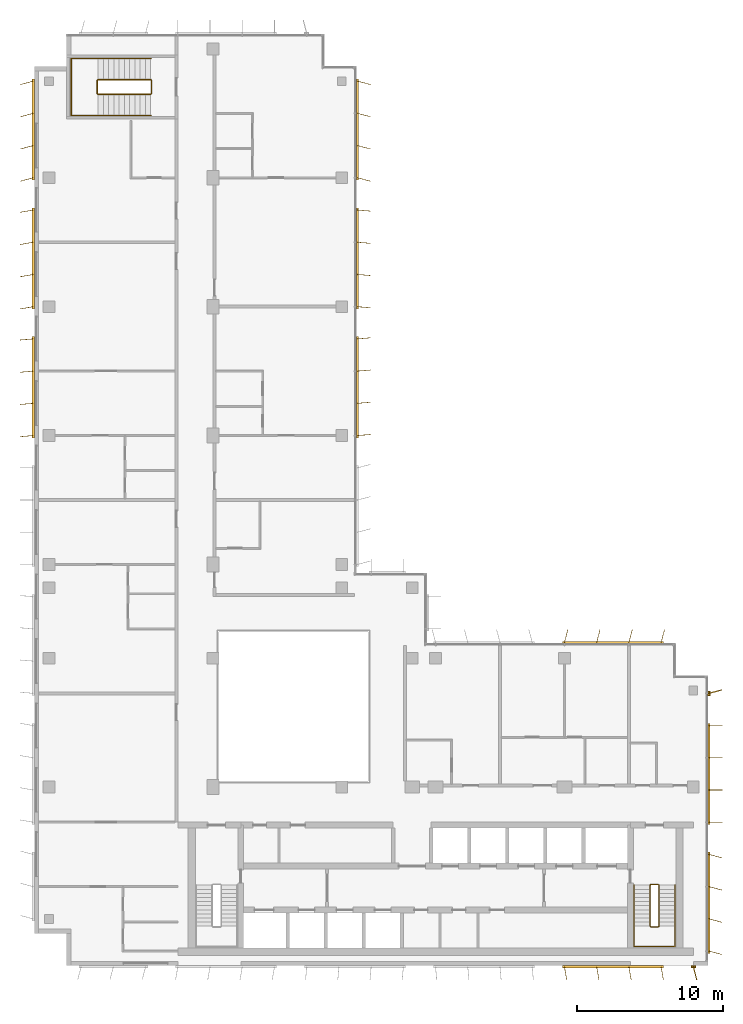
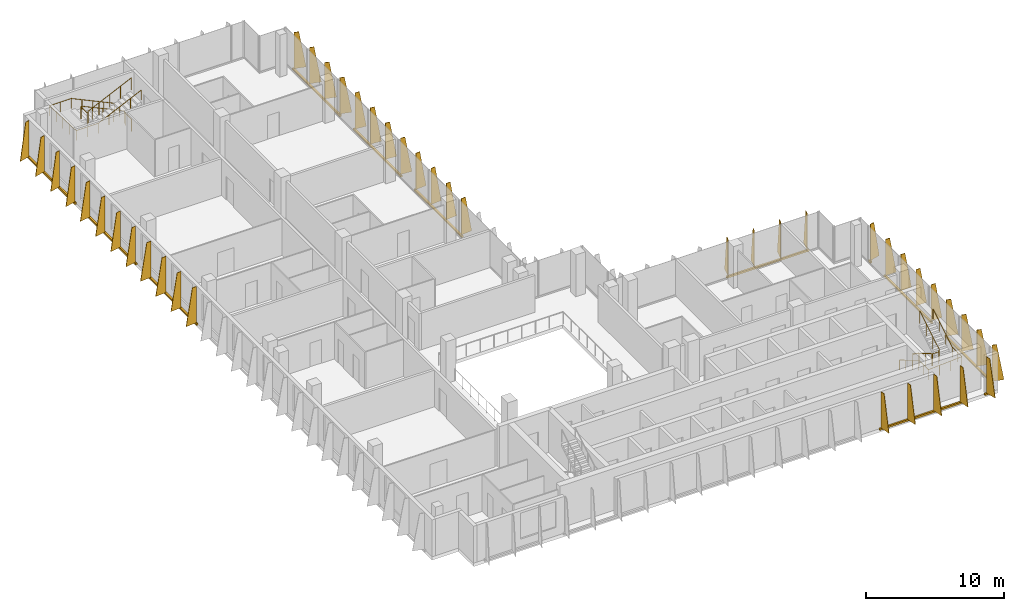
# One storey, part 14 of 15: 12 shading devices, 4 railings.
"""IFC4 building model written with IfcOpenShell, lengths in metres."""

from ifc_helpers import new_model, si_unit, direction, frame, origin, origin_2d, place, context, subcontext, project, spatial, polyline, rectangle, circle, outline, extrude, source, transform, mapped, material, layer, layer_set, type_object, element, save


model = new_model("IFC4")

# Units and contexts
model_context = context("Model", 3, precision=1e-05, world=origin(), true_north=direction((0.0, 1.0)))
body_context = subcontext(model_context, "Body", "Model", "MODEL_VIEW")
ifc_project = project(units=[si_unit("LENGTHUNIT", "METRE"), si_unit("AREAUNIT", "SQUARE_METRE"), si_unit("VOLUMEUNIT", "CUBIC_METRE"), si_unit("PLANEANGLEUNIT", "RADIAN"), si_unit("MASSUNIT", "GRAM", prefix="KILO")], contexts=[model_context])

# Site, building, storey
site_placement = place(None, origin())
site = spatial("IfcSite", under=ifc_project, at=site_placement, CompositionType="ELEMENT")
building_placement = place(site_placement, origin())
building = spatial("IfcBuilding", under=site, at=building_placement, Name="Kemantara Hotel Tower", CompositionType="ELEMENT")
storey_placement = place(building_placement, frame((0.0, 0.0, 305.5)))
storey = spatial("IfcBuildingStorey", under=building, at=storey_placement, Name="L77", CompositionType="ELEMENT", Elevation=305.5)

# Railings
ifc_material_1 = material(Name="Stainless steel balustrade", Category="steel")
railing_type_1 = type_object("IfcRailingType", Name="Stair guard 1100 mm", PredefinedType="GUARDRAIL", material=ifc_material_1)
railing_1_placement = place(storey_placement, frame((42.64990234375, 5.5, 3.699951171875)))
element("IfcRailing", 1, at=railing_1_placement, inside=storey, type_object=railing_type_1, Name="L77 ST2 stair guard 1", PredefinedType="GUARDRAIL", context=body_context, shape_type="SweptSolid", body=[
    extrude(circle(Radius=0.02392578125, at=origin_2d()), frame((0.0, 0.0, 1.076171875), z_axis=(0.0, -0.857242210791, -0.514913383045), x_axis=(1.0, 0.0, 0.0)), (0.0, 0.0, 1.0), 3.266357421875),
    extrude(circle(Radius=0.02392578125, at=origin_2d()), frame((0.0, -2.800048828125, -0.60595703125), z_axis=(-0.273343290215, -0.274683208305, -0.921863645432), x_axis=(0.708833529934, -0.705375805398, 0.0)), (0.0, 0.0, 1.0), 0.18212890625),
    extrude(circle(Radius=0.02392578125, at=origin_2d()), frame((-0.0498046875, -2.85009765625, -0.77392578125), z_axis=(-1.0, 0.0, 0.0), x_axis=(0.0, -1.0, 0.0)), (0.0, 0.0, 1.0), 0.5),
    extrude(circle(Radius=0.02392578125, at=origin_2d()), frame((-0.5498046875, -2.85009765625, -0.77392578125), z_axis=(-0.707106781187, 0.707106781187, 0.0), x_axis=(-0.707106781187, -0.707106781187, 0.0)), (0.0, 0.0, 1.0), 0.07080078125),
    extrude(circle(Radius=0.02392578125, at=origin_2d()), frame((-0.599853515625, -2.800048828125, -0.77392578125), z_axis=(0.0, 0.857242210791, -0.514913383045), x_axis=(-1.0, 0.0, 0.0)), (0.0, 0.0, 1.0), 3.266357421875),
    extrude(circle(Radius=0.02392578125, at=origin_2d()), frame((-0.599853515625, 0.0, -2.45556640625), z_axis=(0.274243871929, 0.274243871929, -0.92172696468), x_axis=(-0.707106781187, 0.707106781187, 0.0)), (0.0, 0.0, 1.0), 0.1826171875),
    extrude(circle(Radius=0.02392578125, at=origin_2d()), frame((-0.5498046875, 0.050048828125, -2.6240234375), z_axis=(1.0, 0.0, 0.0), x_axis=(0.0, 1.0, 0.0)), (0.0, 0.0, 1.0), 0.5),
    extrude(circle(Radius=0.02099609375, at=origin_2d()), origin(), (0.0, 0.0, 1.0), 1.052001953125),
    extrude(circle(Radius=0.02099609375, at=origin_2d()), frame((0.0, -0.933349609375, -0.560546875)), (0.0, 0.0, 1.0), 1.052001953125),
    extrude(circle(Radius=0.02099609375, at=origin_2d()), frame((0.0, -1.86669921875, -1.121337890625)), (0.0, 0.0, 1.0), 1.052001953125),
    extrude(circle(Radius=0.02099609375, at=origin_2d()), frame((0.0, -2.800048828125, -1.681884765625)), (0.0, 0.0, 1.0), 1.052001953125),
    extrude(circle(Radius=0.02099609375, at=origin_2d()), frame((-0.0498046875, -2.85009765625, -1.849853515625)), (0.0, 0.0, 1.0), 1.052001953125),
    extrude(circle(Radius=0.02099609375, at=origin_2d()), frame((-0.5498046875, -2.85009765625, -1.849853515625)), (0.0, 0.0, 1.0), 1.052001953125),
    extrude(circle(Radius=0.02099609375, at=origin_2d()), frame((-0.599853515625, -2.800048828125, -1.849853515625)), (0.0, 0.0, 1.0), 1.052001953125),
    extrude(circle(Radius=0.02099609375, at=origin_2d()), frame((-0.599853515625, -1.86669921875, -2.410400390625)), (0.0, 0.0, 1.0), 1.052001953125),
    extrude(circle(Radius=0.02099609375, at=origin_2d()), frame((-0.599853515625, -0.933349609375, -2.97119140625)), (0.0, 0.0, 1.0), 1.052001953125),
    extrude(circle(Radius=0.02099609375, at=origin_2d()), frame((-0.599853515625, 0.0, -3.53173828125)), (0.0, 0.0, 1.0), 1.052001953125),
    extrude(circle(Radius=0.02099609375, at=origin_2d()), frame((-0.5498046875, 0.050048828125, -3.699951171875)), (0.0, 0.0, 1.0), 1.052001953125),
    extrude(circle(Radius=0.02099609375, at=origin_2d()), frame((-0.0498046875, 0.050048828125, -3.699951171875)), (0.0, 0.0, 1.0), 1.052001953125),
])
railing_2_placement = place(storey_placement, frame((7.949951171875, 59.5, 3.699951171875)))
element("IfcRailing", 2, at=railing_2_placement, inside=storey, type_object=railing_type_1, Name="L77 ST4 stair guard 1", PredefinedType="GUARDRAIL", context=body_context, shape_type="SweptSolid", body=[
    extrude(circle(Radius=0.02392578125, at=origin_2d()), frame((0.0, 0.0, 1.076171875), z_axis=(-0.905994681025, 0.0, -0.423289071386), x_axis=(0.0, -1.0, 0.0)), (0.0, 0.0, 1.0), 3.973388671875),
    extrude(circle(Radius=0.02392578125, at=origin_2d()), frame((-3.599853515625, 0.0, -0.60595703125), z_axis=(-0.274582412415, 0.274582412415, -0.921525364591), x_axis=(-0.707106781187, -0.707106781187, 0.0)), (0.0, 0.0, 1.0), 0.182373046875),
    extrude(circle(Radius=0.02392578125, at=origin_2d()), frame((-3.64990234375, 0.050048828125, -0.77392578125), z_axis=(0.0, 1.0, 0.0), x_axis=(-1.0, 0.0, 0.0)), (0.0, 0.0, 1.0), 0.89990234375),
    extrude(circle(Radius=0.02392578125, at=origin_2d()), frame((-3.64990234375, 0.949951171875, -0.77392578125), z_axis=(0.707106781187, 0.707106781187, 0.0), x_axis=(-0.707106781187, 0.707106781187, 0.0)), (0.0, 0.0, 1.0), 0.07080078125),
    extrude(circle(Radius=0.02392578125, at=origin_2d()), frame((-3.599853515625, 1.0, -0.77392578125), z_axis=(0.905994681025, 0.0, -0.423289071386), x_axis=(0.0, 1.0, 0.0)), (0.0, 0.0, 1.0), 3.973388671875),
    extrude(circle(Radius=0.02392578125, at=origin_2d()), frame((0.0, 1.0, -2.45556640625), z_axis=(0.274243871929, -0.274243871929, -0.92172696468), x_axis=(0.707106781187, 0.707106781187, 0.0)), (0.0, 0.0, 1.0), 0.1826171875),
    extrude(circle(Radius=0.02392578125, at=origin_2d()), frame((0.050048828125, 0.949951171875, -2.6240234375), z_axis=(0.0, -1.0, 0.0), x_axis=(1.0, 0.0, 0.0)), (0.0, 0.0, 1.0), 0.89990234375),
    extrude(circle(Radius=0.02099609375, at=origin_2d()), origin(), (0.0, 0.0, 1.0), 1.052001953125),
    extrude(circle(Radius=0.02099609375, at=origin_2d()), frame((-0.89990234375, 0.0, -0.42041015625)), (0.0, 0.0, 1.0), 1.052001953125),
    extrude(circle(Radius=0.02099609375, at=origin_2d()), frame((-1.7998046875, 0.0, -0.8408203125)), (0.0, 0.0, 1.0), 1.052001953125),
    extrude(circle(Radius=0.02099609375, at=origin_2d()), frame((-2.699951171875, 0.0, -1.261474609375)), (0.0, 0.0, 1.0), 1.052001953125),
    extrude(circle(Radius=0.02099609375, at=origin_2d()), frame((-3.599853515625, 0.0, -1.681884765625)), (0.0, 0.0, 1.0), 1.052001953125),
    extrude(circle(Radius=0.02099609375, at=origin_2d()), frame((-3.64990234375, 0.050048828125, -1.849853515625)), (0.0, 0.0, 1.0), 1.052001953125),
    extrude(circle(Radius=0.02099609375, at=origin_2d()), frame((-3.64990234375, 0.949951171875, -1.849853515625)), (0.0, 0.0, 1.0), 1.052001953125),
    extrude(circle(Radius=0.02099609375, at=origin_2d()), frame((-3.599853515625, 1.0, -1.849853515625)), (0.0, 0.0, 1.0), 1.052001953125),
    extrude(circle(Radius=0.02099609375, at=origin_2d()), frame((-2.699951171875, 1.0, -2.270263671875)), (0.0, 0.0, 1.0), 1.052001953125),
    extrude(circle(Radius=0.02099609375, at=origin_2d()), frame((-1.7998046875, 1.0, -2.69091796875)), (0.0, 0.0, 1.0), 1.052001953125),
    extrude(circle(Radius=0.02099609375, at=origin_2d()), frame((-0.89990234375, 1.0, -3.111328125)), (0.0, 0.0, 1.0), 1.052001953125),
    extrude(circle(Radius=0.02099609375, at=origin_2d()), frame((0.0, 1.0, -3.53173828125)), (0.0, 0.0, 1.0), 1.052001953125),
    extrude(circle(Radius=0.02099609375, at=origin_2d()), frame((0.050048828125, 0.949951171875, -3.699951171875)), (0.0, 0.0, 1.0), 1.052001953125),
    extrude(circle(Radius=0.02099609375, at=origin_2d()), frame((0.050048828125, 0.050048828125, -3.699951171875)), (0.0, 0.0, 1.0), 1.052001953125),
])
railing_type_2 = type_object("IfcRailingType", Name="Stair handrail 900 mm", PredefinedType="HANDRAIL", material=ifc_material_1)
railing_3_placement = place(storey_placement, frame((40.949951171875, 5.5, 0.168212890625)))
element("IfcRailing", 3, at=railing_3_placement, inside=storey, type_object=railing_type_2, Name="L77 ST2 stair handrail 1", PredefinedType="HANDRAIL", context=body_context, shape_type="SweptSolid", body=[
    extrude(circle(Radius=0.02392578125, at=origin_2d()), frame((0.0, 0.0, 0.8759765625), z_axis=(0.0, -0.857242210791, 0.514913383045), x_axis=(1.0, 0.0, 0.0)), (0.0, 0.0, 1.0), 3.266357421875),
    extrude(circle(Radius=0.02392578125, at=origin_2d()), frame((0.0, -2.800048828125, 2.5576171875), z_axis=(0.0, -1.0, 0.0), x_axis=(1.0, 0.0, 0.0)), (0.0, 0.0, 1.0), 1.3798828125),
    extrude(circle(Radius=0.02392578125, at=origin_2d()), frame((0.0, -4.179931640625, 2.5576171875), z_axis=(0.998205573864, 0.0, 0.059880149518), x_axis=(0.0, 1.0, 0.0)), (0.0, 0.0, 1.0), 2.80517578125),
    extrude(circle(Radius=0.02392578125, at=origin_2d()), frame((2.800048828125, -4.179931640625, 2.7255859375), z_axis=(0.0, 1.0, 0.0), x_axis=(-1.0, 0.0, 0.0)), (0.0, 0.0, 1.0), 1.3798828125),
    extrude(circle(Radius=0.02392578125, at=origin_2d()), frame((2.800048828125, -2.800048828125, 2.7255859375), z_axis=(0.0, 0.857242210791, 0.514913383045), x_axis=(-1.0, 0.0, 0.0)), (0.0, 0.0, 1.0), 3.266357421875),
    extrude(circle(Radius=0.02099609375, at=origin_2d()), origin(), (0.0, 0.0, 1.0), 0.851806640625),
    extrude(circle(Radius=0.02099609375, at=origin_2d()), frame((0.0, -0.933349609375, 0.560546875)), (0.0, 0.0, 1.0), 0.851806640625),
    extrude(circle(Radius=0.02099609375, at=origin_2d()), frame((0.0, -1.86669921875, 1.121337890625)), (0.0, 0.0, 1.0), 0.851806640625),
    extrude(circle(Radius=0.02099609375, at=origin_2d()), frame((0.0, -2.800048828125, 1.681884765625)), (0.0, 0.0, 1.0), 0.851806640625),
    extrude(circle(Radius=0.02099609375, at=origin_2d()), frame((0.0, -3.489990234375, 1.681884765625)), (0.0, 0.0, 1.0), 0.851806640625),
    extrude(circle(Radius=0.02099609375, at=origin_2d()), frame((0.0, -4.179931640625, 1.681884765625)), (0.0, 0.0, 1.0), 0.851806640625),
    extrude(circle(Radius=0.02099609375, at=origin_2d()), frame((0.933349609375, -4.179931640625, 1.73779296875)), (0.0, 0.0, 1.0), 0.851806640625),
    extrude(circle(Radius=0.02099609375, at=origin_2d()), frame((1.86669921875, -4.179931640625, 1.7939453125)), (0.0, 0.0, 1.0), 0.851806640625),
    extrude(circle(Radius=0.02099609375, at=origin_2d()), frame((2.800048828125, -4.179931640625, 1.849853515625)), (0.0, 0.0, 1.0), 0.851806640625),
    extrude(circle(Radius=0.02099609375, at=origin_2d()), frame((2.800048828125, -3.489990234375, 1.849853515625)), (0.0, 0.0, 1.0), 0.851806640625),
    extrude(circle(Radius=0.02099609375, at=origin_2d()), frame((2.800048828125, -2.800048828125, 1.849853515625)), (0.0, 0.0, 1.0), 0.851806640625),
    extrude(circle(Radius=0.02099609375, at=origin_2d()), frame((2.800048828125, -1.86669921875, 2.410400390625)), (0.0, 0.0, 1.0), 0.851806640625),
    extrude(circle(Radius=0.02099609375, at=origin_2d()), frame((2.800048828125, -0.933349609375, 2.97119140625)), (0.0, 0.0, 1.0), 0.851806640625),
    extrude(circle(Radius=0.02099609375, at=origin_2d()), frame((2.800048828125, 0.0, 3.53173828125)), (0.0, 0.0, 1.0), 0.851806640625),
])
railing_4_placement = place(storey_placement, frame((7.949951171875, 61.949951171875, 0.168212890625)))
element("IfcRailing", 4, at=railing_4_placement, inside=storey, type_object=railing_type_2, Name="L77 ST4 stair handrail 1", PredefinedType="HANDRAIL", context=body_context, shape_type="SweptSolid", body=[
    extrude(circle(Radius=0.02392578125, at=origin_2d()), frame((0.0, 0.0, 0.8759765625), z_axis=(-0.905994681025, 0.0, 0.423289071386), x_axis=(0.0, -1.0, 0.0)), (0.0, 0.0, 1.0), 3.973388671875),
    extrude(circle(Radius=0.02392578125, at=origin_2d()), frame((-3.599853515625, 0.0, 2.5576171875), z_axis=(-1.0, 0.0, 0.0), x_axis=(0.0, -1.0, 0.0)), (0.0, 0.0, 1.0), 1.830078125),
    extrude(circle(Radius=0.02392578125, at=origin_2d()), frame((-5.429931640625, 0.0, 2.5576171875), z_axis=(0.0, -0.999073776461, 0.043030096294), x_axis=(1.0, 0.0, 0.0)), (0.0, 0.0, 1.0), 3.903564453125),
    extrude(circle(Radius=0.02392578125, at=origin_2d()), frame((-5.429931640625, -3.89990234375, 2.7255859375), z_axis=(1.0, 0.0, 0.0), x_axis=(0.0, 1.0, 0.0)), (0.0, 0.0, 1.0), 1.830078125),
    extrude(circle(Radius=0.02392578125, at=origin_2d()), frame((-3.599853515625, -3.89990234375, 2.7255859375), z_axis=(0.905994681025, 0.0, 0.423289071386), x_axis=(0.0, 1.0, 0.0)), (0.0, 0.0, 1.0), 3.973388671875),
    extrude(circle(Radius=0.02099609375, at=origin_2d()), origin(), (0.0, 0.0, 1.0), 0.851806640625),
    extrude(circle(Radius=0.02099609375, at=origin_2d()), frame((-0.89990234375, 0.0, 0.42041015625)), (0.0, 0.0, 1.0), 0.851806640625),
    extrude(circle(Radius=0.02099609375, at=origin_2d()), frame((-1.7998046875, 0.0, 0.8408203125)), (0.0, 0.0, 1.0), 0.851806640625),
    extrude(circle(Radius=0.02099609375, at=origin_2d()), frame((-2.699951171875, 0.0, 1.261474609375)), (0.0, 0.0, 1.0), 0.851806640625),
    extrude(circle(Radius=0.02099609375, at=origin_2d()), frame((-3.599853515625, 0.0, 1.681884765625)), (0.0, 0.0, 1.0), 0.851806640625),
    extrude(circle(Radius=0.02099609375, at=origin_2d()), frame((-4.514892578125, 0.0, 1.681884765625)), (0.0, 0.0, 1.0), 0.851806640625),
    extrude(circle(Radius=0.02099609375, at=origin_2d()), frame((-5.429931640625, 0.0, 1.681884765625)), (0.0, 0.0, 1.0), 0.851806640625),
    extrude(circle(Radius=0.02099609375, at=origin_2d()), frame((-5.429931640625, -0.97509765625, 1.723876953125)), (0.0, 0.0, 1.0), 0.851806640625),
    extrude(circle(Radius=0.02099609375, at=origin_2d()), frame((-5.429931640625, -1.949951171875, 1.765869140625)), (0.0, 0.0, 1.0), 0.851806640625),
    extrude(circle(Radius=0.02099609375, at=origin_2d()), frame((-5.429931640625, -2.9248046875, 1.807861328125)), (0.0, 0.0, 1.0), 0.851806640625),
    extrude(circle(Radius=0.02099609375, at=origin_2d()), frame((-5.429931640625, -3.89990234375, 1.849853515625)), (0.0, 0.0, 1.0), 0.851806640625),
    extrude(circle(Radius=0.02099609375, at=origin_2d()), frame((-4.514892578125, -3.89990234375, 1.849853515625)), (0.0, 0.0, 1.0), 0.851806640625),
    extrude(circle(Radius=0.02099609375, at=origin_2d()), frame((-3.599853515625, -3.89990234375, 1.849853515625)), (0.0, 0.0, 1.0), 0.851806640625),
    extrude(circle(Radius=0.02099609375, at=origin_2d()), frame((-2.699951171875, -3.89990234375, 2.270263671875)), (0.0, 0.0, 1.0), 0.851806640625),
    extrude(circle(Radius=0.02099609375, at=origin_2d()), frame((-1.7998046875, -3.89990234375, 2.69091796875)), (0.0, 0.0, 1.0), 0.851806640625),
    extrude(circle(Radius=0.02099609375, at=origin_2d()), frame((-0.89990234375, -3.89990234375, 3.111328125)), (0.0, 0.0, 1.0), 0.851806640625),
    extrude(circle(Radius=0.02099609375, at=origin_2d()), frame((0.0, -3.89990234375, 3.53173828125)), (0.0, 0.0, 1.0), 0.851806640625),
])

# Shading devices
ifc_material_2 = material(Name="Perforated aluminium plate 4 mm bronze anodised", Category="aluminium")
ifc_layer_1 = layer(ifc_material_2, 0.0400390625)
ifc_layer_set_1 = layer_set([ifc_layer_1], Name="Perforated aluminium plate 4 mm bronze anodised")
shading_device_type_1 = type_object("IfcShadingDeviceType", Name="SCREEN FIN CASSETTE, 4 BLADES AT -5.0 DEG, 3200 HIGH", PredefinedType="USERDEFINED", material=ifc_layer_set_1)
shared_shape_1 = source(origin(), body_context, "Body", "SweptSolid", [
    extrude(rectangle(XDim=6.89990234375, YDim=0.14990234375, at=origin_2d()), frame((3.300048828125, -0.074951171875, -0.14990234375), z_axis=(0.0, 0.0, 1.0), x_axis=(1.0, 0.0, 0.0)), (0.0, 0.0, 1.0), 0.14990234375),
    extrude(outline(polyline([(0.0, 0.0), (0.89990234375, 0.0), (0.35009765625, 3.199951171875), (0.0, 3.199951171875), (0.0, 0.0)])), frame((0.02001953125, -0.07666015625, 0.0), z_axis=(-0.996376129781, 0.085056498884, 0.0), x_axis=(-0.085056498884, -0.996376129781, 0.0)), (0.0, 0.0, 1.0), 0.040283203125),
    extrude(outline(polyline([(0.0, 0.0), (0.89990234375, 0.0), (0.35009765625, 3.199951171875), (0.0, 3.199951171875), (0.0, 0.0)])), frame((2.219970703125, -0.07666015625, 0.0), z_axis=(-0.996331773833, 0.085574508182, 0.0), x_axis=(-0.085574508182, -0.996331773833, 0.0)), (0.0, 0.0, 1.0), 0.0400390625),
    extrude(outline(polyline([(0.0, 0.0), (0.89990234375, 0.0), (0.35009765625, 3.199951171875), (0.0, 3.199951171875), (0.0, 0.0)])), frame((4.419921875, -0.07666015625, 0.0), z_axis=(-0.996331773833, 0.085574508182, 0.0), x_axis=(-0.085574508182, -0.996331773833, 0.0)), (0.0, 0.0, 1.0), 0.0400390625),
    extrude(outline(polyline([(0.0, 0.0), (0.89990234375, 0.0), (0.35009765625, 3.199951171875), (0.0, 3.199951171875), (0.0, 0.0)])), frame((6.619873046875, -0.07666015625, 0.0), z_axis=(-0.996331773833, 0.085574508182, 0.0), x_axis=(-0.085574508182, -0.996331773833, 0.0)), (0.0, 0.0, 1.0), 0.0400390625),
])
shading_device_1_placement = place(storey_placement, frame((22.0, 45.0, 0.10009765625), z_axis=(0.0, 0.0, 1.0), x_axis=(0.0, 1.0, 0.0)))
element("IfcShadingDevice", 5, at=shading_device_1_placement, inside=storey, type_object=shading_device_type_1, Name="SCREEN FIN CASSETTE L77 T4-R15-3", ObjectType="SCREEN FIN", PredefinedType="USERDEFINED", context=body_context, shape_type="MappedRepresentation", body=[
    mapped(shared_shape_1, transform((0.0, 0.0, 0.0))),
])
ifc_layer_2 = layer(ifc_material_2, 0.0400390625)
ifc_layer_set_2 = layer_set([ifc_layer_2], Name="Perforated aluminium plate 4 mm bronze anodised")
shading_device_type_2 = type_object("IfcShadingDeviceType", Name="SCREEN FIN CASSETTE, 4 BLADES AT +0.0 DEG, 3200 HIGH", PredefinedType="USERDEFINED", material=ifc_layer_set_2)
shared_shape_2 = source(origin(), body_context, "Body", "SweptSolid", [
    extrude(rectangle(XDim=6.89990234375, YDim=0.14990234375, at=origin_2d()), frame((3.300048828125, -0.074951171875, -0.14990234375), z_axis=(0.0, 0.0, 1.0), x_axis=(1.0, 0.0, 0.0)), (0.0, 0.0, 1.0), 0.14990234375),
    extrude(outline(polyline([(0.0, 0.0), (0.89990234375, 0.0), (0.35009765625, 3.199951171875), (0.0, 3.199951171875), (0.0, 0.0)])), frame((0.02001953125, -0.074951171875, 0.0), z_axis=(-1.0, 0.0, 0.0), x_axis=(0.0, -1.0, 0.0)), (0.0, 0.0, 1.0), 0.0400390625),
    extrude(outline(polyline([(0.0, 0.0), (0.89990234375, 0.0), (0.35009765625, 3.199951171875), (0.0, 3.199951171875), (0.0, 0.0)])), frame((2.219970703125, -0.074951171875, 0.0), z_axis=(-1.0, 0.0, 0.0), x_axis=(0.0, -1.0, 0.0)), (0.0, 0.0, 1.0), 0.0400390625),
    extrude(outline(polyline([(0.0, 0.0), (0.89990234375, 0.0), (0.35009765625, 3.199951171875), (0.0, 3.199951171875), (0.0, 0.0)])), frame((4.419921875, -0.074951171875, 0.0), z_axis=(-1.0, 0.0, 0.0), x_axis=(0.0, -1.0, 0.0)), (0.0, 0.0, 1.0), 0.0400390625),
    extrude(outline(polyline([(0.0, 0.0), (0.89990234375, 0.0), (0.35009765625, 3.199951171875), (0.0, 3.199951171875), (0.0, 0.0)])), frame((6.6201171875, -0.074951171875, 0.0), z_axis=(-1.0, 0.0, 0.0), x_axis=(0.0, -1.0, 0.0)), (0.0, 0.0, 1.0), 0.0400390625),
])
shading_device_2_placement = place(storey_placement, frame((46.0, 9.800048828125, 0.10009765625), z_axis=(0.0, 0.0, 1.0), x_axis=(0.0, 1.0, 0.0)))
element("IfcShadingDevice", 6, at=shading_device_2_placement, inside=storey, type_object=shading_device_type_2, Name="SCREEN FIN CASSETTE L77 T4-R09-2", ObjectType="SCREEN FIN", PredefinedType="USERDEFINED", context=body_context, shape_type="MappedRepresentation", body=[
    mapped(shared_shape_2, transform((0.0, 0.0, 0.0))),
])
ifc_layer_3 = layer(ifc_material_2, 0.0400390625)
ifc_layer_set_3 = layer_set([ifc_layer_3], Name="Perforated aluminium plate 4 mm bronze anodised")
shading_device_type_3 = type_object("IfcShadingDeviceType", Name="SCREEN FIN CASSETTE, 4 BLADES AT +5.0 DEG, 3200 HIGH", PredefinedType="USERDEFINED", material=ifc_layer_set_3)
shared_shape_3 = source(origin(), body_context, "Body", "SweptSolid", [
    extrude(rectangle(XDim=6.89990234375, YDim=0.14990234375, at=origin_2d()), frame((3.300048828125, -0.074951171875, -0.14990234375), z_axis=(0.0, 0.0, 1.0), x_axis=(1.0, 0.0, 0.0)), (0.0, 0.0, 1.0), 0.14990234375),
    extrude(outline(polyline([(0.0, 0.0), (0.89990234375, 0.0), (0.35009765625, 3.199951171875), (0.0, 3.199951171875), (0.0, 0.0)])), frame((0.02001953125, -0.0732421875, 0.0), z_axis=(-0.996376129781, -0.085056498884, 0.0), x_axis=(0.085056498884, -0.996376129781, 0.0)), (0.0, 0.0, 1.0), 0.040283203125),
    extrude(outline(polyline([(0.0, 0.0), (0.89990234375, 0.0), (0.35009765625, 3.199951171875), (0.0, 3.199951171875), (0.0, 0.0)])), frame((2.219970703125, -0.0732421875, 0.0), z_axis=(-0.996331773833, -0.085574508182, 0.0), x_axis=(0.085574508182, -0.996331773833, 0.0)), (0.0, 0.0, 1.0), 0.0400390625),
    extrude(outline(polyline([(0.0, 0.0), (0.89990234375, 0.0), (0.35009765625, 3.199951171875), (0.0, 3.199951171875), (0.0, 0.0)])), frame((4.419921875, -0.0732421875, 0.0), z_axis=(-0.996331773833, -0.085574508182, 0.0), x_axis=(0.085574508182, -0.996331773833, 0.0)), (0.0, 0.0, 1.0), 0.0400390625),
    extrude(outline(polyline([(0.0, 0.0), (0.89990234375, 0.0), (0.35009765625, 3.199951171875), (0.0, 3.199951171875), (0.0, 0.0)])), frame((6.619873046875, -0.0732421875, 0.0), z_axis=(-0.996331773833, -0.085574508182, 0.0), x_axis=(0.085574508182, -0.996331773833, 0.0)), (0.0, 0.0, 1.0), 0.0400390625),
])
for number, where, z_axis, x_axis, name in (
    (7, (0.0, 42.800048828125, 0.10009765625), (0.0, 0.0, 1.0), (0.0, -1.0, 0.0), "SCREEN FIN CASSETTE L77 T4-R05-3"),
    (8, (22.0, 36.199951171875, 0.10009765625), (0.0, 0.0, 1.0), (0.0, 1.0, 0.0), "SCREEN FIN CASSETTE L77 T4-R15-2"),
):
    element("IfcShadingDevice", number, at=place(storey_placement, frame(where, z_axis=z_axis, x_axis=x_axis)), inside=storey, type_object=shading_device_type_3, Name=name, ObjectType="SCREEN FIN", PredefinedType="USERDEFINED", context=body_context, shape_type="MappedRepresentation", body=[
        mapped(shared_shape_3, transform((0.0, 0.0, 0.0))),
    ])
ifc_layer_4 = layer(ifc_material_2, 0.0400390625)
ifc_layer_set_4 = layer_set([ifc_layer_4], Name="Perforated aluminium plate 4 mm bronze anodised")
shading_device_type_4 = type_object("IfcShadingDeviceType", Name="SCREEN FIN CASSETTE, 4 BLADES AT +10.0 DEG, 3200 HIGH", PredefinedType="USERDEFINED", material=ifc_layer_set_4)
shared_shape_4 = source(origin(), body_context, "Body", "SweptSolid", [
    extrude(rectangle(XDim=6.89990234375, YDim=0.14990234375, at=origin_2d()), frame((3.300048828125, -0.074951171875, -0.14990234375), z_axis=(0.0, 0.0, 1.0), x_axis=(1.0, 0.0, 0.0)), (0.0, 0.0, 1.0), 0.14990234375),
    extrude(outline(polyline([(0.0, 0.0), (0.89990234375, 0.0), (0.35009765625, 3.199951171875), (0.0, 3.199951171875), (0.0, 0.0)])), frame((0.019775390625, -0.071533203125, 0.0), z_axis=(-0.985389793052, -0.170314285219, 0.0), x_axis=(0.170314285219, -0.985389793052, 0.0)), (0.0, 0.0, 1.0), 0.0400390625),
    extrude(outline(polyline([(0.0, 0.0), (0.89990234375, 0.0), (0.35009765625, 3.199951171875), (0.0, 3.199951171875), (0.0, 0.0)])), frame((2.2197265625, -0.071533203125, 0.0), z_axis=(-0.98521175482, -0.171341174751, 0.0), x_axis=(0.171341174751, -0.98521175482, 0.0)), (0.0, 0.0, 1.0), 0.039794921875),
    extrude(outline(polyline([(0.0, 0.0), (0.89990234375, 0.0), (0.35009765625, 3.199951171875), (0.0, 3.199951171875), (0.0, 0.0)])), frame((4.419677734375, -0.071533203125, 0.0), z_axis=(-0.98521175482, -0.171341174751, 0.0), x_axis=(0.171341174751, -0.98521175482, 0.0)), (0.0, 0.0, 1.0), 0.039794921875),
    extrude(outline(polyline([(0.0, 0.0), (0.89990234375, 0.0), (0.35009765625, 3.199951171875), (0.0, 3.199951171875), (0.0, 0.0)])), frame((6.61962890625, -0.071533203125, 0.0), z_axis=(-0.98521175482, -0.171341174751, 0.0), x_axis=(0.171341174751, -0.98521175482, 0.0)), (0.0, 0.0, 1.0), 0.039794921875),
])
for number, where, z_axis, x_axis, name in (
    (9, (0.0, 51.60009765625, 0.10009765625), (0.0, 0.0, 1.0), (0.0, -1.0, 0.0), "SCREEN FIN CASSETTE L77 T4-R05-2"),
    (10, (36.199951171875, 0.0, 0.10009765625), (0.0, 0.0, 1.0), (1.0, 0.0, 0.0), "SCREEN FIN CASSETTE L77 T4-R08-5"),
):
    element("IfcShadingDevice", number, at=place(storey_placement, frame(where, z_axis=z_axis, x_axis=x_axis)), inside=storey, type_object=shading_device_type_4, Name=name, ObjectType="SCREEN FIN", PredefinedType="USERDEFINED", context=body_context, shape_type="MappedRepresentation", body=[
        mapped(shared_shape_4, transform((0.0, 0.0, 0.0))),
    ])
ifc_layer_5 = layer(ifc_material_2, 0.0400390625)
ifc_layer_set_5 = layer_set([ifc_layer_5], Name="Perforated aluminium plate 4 mm bronze anodised")
shading_device_type_5 = type_object("IfcShadingDeviceType", Name="SCREEN FIN CASSETTE, 4 BLADES AT +15.0 DEG, 3200 HIGH", PredefinedType="USERDEFINED", material=ifc_layer_set_5)
shared_shape_5 = source(origin(), body_context, "Body", "SweptSolid", [
    extrude(rectangle(XDim=6.89990234375, YDim=0.14990234375, at=origin_2d()), frame((3.300048828125, -0.074951171875, -0.14990234375), z_axis=(0.0, 0.0, 1.0), x_axis=(1.0, 0.0, 0.0)), (0.0, 0.0, 1.0), 0.14990234375),
    extrude(outline(polyline([(0.0, 0.0), (0.89990234375, 0.0), (0.35009765625, 3.199951171875), (0.0, 3.199951171875), (0.0, 0.0)])), frame((0.019287109375, -0.06982421875, 0.0), z_axis=(-0.966437683387, -0.256901156343, 0.0), x_axis=(0.256901156343, -0.966437683387, 0.0)), (0.0, 0.0, 1.0), 0.039794921875),
    extrude(outline(polyline([(0.0, 0.0), (0.89990234375, 0.0), (0.35009765625, 3.199951171875), (0.0, 3.199951171875), (0.0, 0.0)])), frame((2.21923828125, -0.06982421875, 0.0), z_axis=(-0.966437683387, -0.256901156343, 0.0), x_axis=(0.256901156343, -0.966437683387, 0.0)), (0.0, 0.0, 1.0), 0.039794921875),
    extrude(outline(polyline([(0.0, 0.0), (0.89990234375, 0.0), (0.35009765625, 3.199951171875), (0.0, 3.199951171875), (0.0, 0.0)])), frame((4.41943359375, -0.06982421875, 0.0), z_axis=(-0.966837822169, -0.255391122837, 0.0), x_axis=(0.255391122837, -0.966837822169, 0.0)), (0.0, 0.0, 1.0), 0.0400390625),
    extrude(outline(polyline([(0.0, 0.0), (0.89990234375, 0.0), (0.35009765625, 3.199951171875), (0.0, 3.199951171875), (0.0, 0.0)])), frame((6.619384765625, -0.06982421875, 0.0), z_axis=(-0.966837822169, -0.255391122837, 0.0), x_axis=(0.255391122837, -0.966837822169, 0.0)), (0.0, 0.0, 1.0), 0.0400390625),
])
shading_device_3_placement = place(storey_placement, frame((0.0, 60.39990234375, 0.10009765625), z_axis=(0.0, 0.0, 1.0), x_axis=(0.0, -1.0, 0.0)))
element("IfcShadingDevice", 11, at=shading_device_3_placement, inside=storey, type_object=shading_device_type_5, Name="SCREEN FIN CASSETTE L77 T4-R05-1", ObjectType="SCREEN FIN", PredefinedType="USERDEFINED", context=body_context, shape_type="MappedRepresentation", body=[
    mapped(shared_shape_5, transform((0.0, 0.0, 0.0))),
])
ifc_layer_6 = layer(ifc_material_2, 0.0400390625)
ifc_layer_set_6 = layer_set([ifc_layer_6], Name="Perforated aluminium plate 4 mm bronze anodised")
shading_device_type_6 = type_object("IfcShadingDeviceType", Name="SCREEN FIN CASSETTE, 4 BLADES AT -15.0 DEG, 3200 HIGH", PredefinedType="USERDEFINED", material=ifc_layer_set_6)
shared_shape_6 = source(origin(), body_context, "Body", "SweptSolid", [
    extrude(rectangle(XDim=6.89990234375, YDim=0.14990234375, at=origin_2d()), frame((3.300048828125, -0.074951171875, -0.14990234375), z_axis=(0.0, 0.0, 1.0), x_axis=(1.0, 0.0, 0.0)), (0.0, 0.0, 1.0), 0.14990234375),
    extrude(outline(polyline([(0.0, 0.0), (0.89990234375, 0.0), (0.35009765625, 3.199951171875), (0.0, 3.199951171875), (0.0, 0.0)])), frame((0.019287109375, -0.080078125, 0.0), z_axis=(-0.966437683387, 0.256901156343, 0.0), x_axis=(-0.256901156343, -0.966437683387, 0.0)), (0.0, 0.0, 1.0), 0.039794921875),
    extrude(outline(polyline([(0.0, 0.0), (0.89990234375, 0.0), (0.35009765625, 3.199951171875), (0.0, 3.199951171875), (0.0, 0.0)])), frame((2.21923828125, -0.080078125, 0.0), z_axis=(-0.966437683387, 0.256901156343, 0.0), x_axis=(-0.256901156343, -0.966437683387, 0.0)), (0.0, 0.0, 1.0), 0.039794921875),
    extrude(outline(polyline([(0.0, 0.0), (0.89990234375, 0.0), (0.35009765625, 3.199951171875), (0.0, 3.199951171875), (0.0, 0.0)])), frame((4.41943359375, -0.080078125, 0.0), z_axis=(-0.966837822169, 0.255391122837, 0.0), x_axis=(-0.255391122837, -0.966837822169, 0.0)), (0.0, 0.0, 1.0), 0.0400390625),
    extrude(outline(polyline([(0.0, 0.0), (0.89990234375, 0.0), (0.35009765625, 3.199951171875), (0.0, 3.199951171875), (0.0, 0.0)])), frame((6.619384765625, -0.080078125, 0.0), z_axis=(-0.966837822169, 0.255391122837, 0.0), x_axis=(-0.255391122837, -0.966837822169, 0.0)), (0.0, 0.0, 1.0), 0.0400390625),
])
for number, where, z_axis, x_axis, name in (
    (12, (46.0, 1.0, 0.10009765625), (0.0, 0.0, 1.0), (0.0, 1.0, 0.0), "SCREEN FIN CASSETTE L77 T4-R09-1"),
    (13, (42.800048828125, 22.0, 0.10009765625), (0.0, 0.0, 1.0), (-1.0, 0.0, 0.0), "SCREEN FIN CASSETTE L77 T4-R12-1"),
    (14, (22.0, 53.800048828125, 0.10009765625), (0.0, 0.0, 1.0), (0.0, 1.0, 0.0), "SCREEN FIN CASSETTE L77 T4-R15-4"),
):
    element("IfcShadingDevice", number, at=place(storey_placement, frame(where, z_axis=z_axis, x_axis=x_axis)), inside=storey, type_object=shading_device_type_6, Name=name, ObjectType="SCREEN FIN", PredefinedType="USERDEFINED", context=body_context, shape_type="MappedRepresentation", body=[
        mapped(shared_shape_6, transform((0.0, 0.0, 0.0))),
    ])
ifc_layer_7 = layer(ifc_material_2, 0.0400390625)
ifc_layer_set_7 = layer_set([ifc_layer_7], Name="Perforated aluminium plate 4 mm bronze anodised")
shading_device_type_7 = type_object("IfcShadingDeviceType", Name="SCREEN FIN CASSETTE, 1 BLADE AT +15.0 DEG, 3200 HIGH", PredefinedType="USERDEFINED", material=ifc_layer_set_7)
shared_shape_7 = source(origin(), body_context, "Body", "SweptSolid", [
    extrude(rectangle(XDim=0.300048828125, YDim=0.14990234375, at=origin_2d()), frame((0.0, -0.074951171875, -0.14990234375), z_axis=(0.0, 0.0, 1.0), x_axis=(1.0, 0.0, 0.0)), (0.0, 0.0, 1.0), 0.14990234375),
    extrude(outline(polyline([(0.0, 0.0), (0.89990234375, 0.0), (0.35009765625, 3.199951171875), (0.0, 3.199951171875), (0.0, 0.0)])), frame((0.019287109375, -0.06982421875, 0.0), z_axis=(-0.966437683387, -0.256901156343, 0.0), x_axis=(0.256901156343, -0.966437683387, 0.0)), (0.0, 0.0, 1.0), 0.039794921875),
])
for number, where, z_axis, x_axis, name in (
    (15, (45.0, 0.0, 0.10009765625), (0.0, 0.0, 1.0), (1.0, 0.0, 0.0), "SCREEN FIN CASSETTE L77 T4-R08-6"),
    (16, (46.0, 18.60009765625, 0.10009765625), (0.0, 0.0, 1.0), (0.0, 1.0, 0.0), "SCREEN FIN CASSETTE L77 T4-R09-3"),
):
    element("IfcShadingDevice", number, at=place(storey_placement, frame(where, z_axis=z_axis, x_axis=x_axis)), inside=storey, type_object=shading_device_type_7, Name=name, ObjectType="SCREEN FIN", PredefinedType="USERDEFINED", context=body_context, shape_type="MappedRepresentation", body=[
        mapped(shared_shape_7, transform((0.0, 0.0, 0.0))),
    ])

save(model, "model.ifc")
